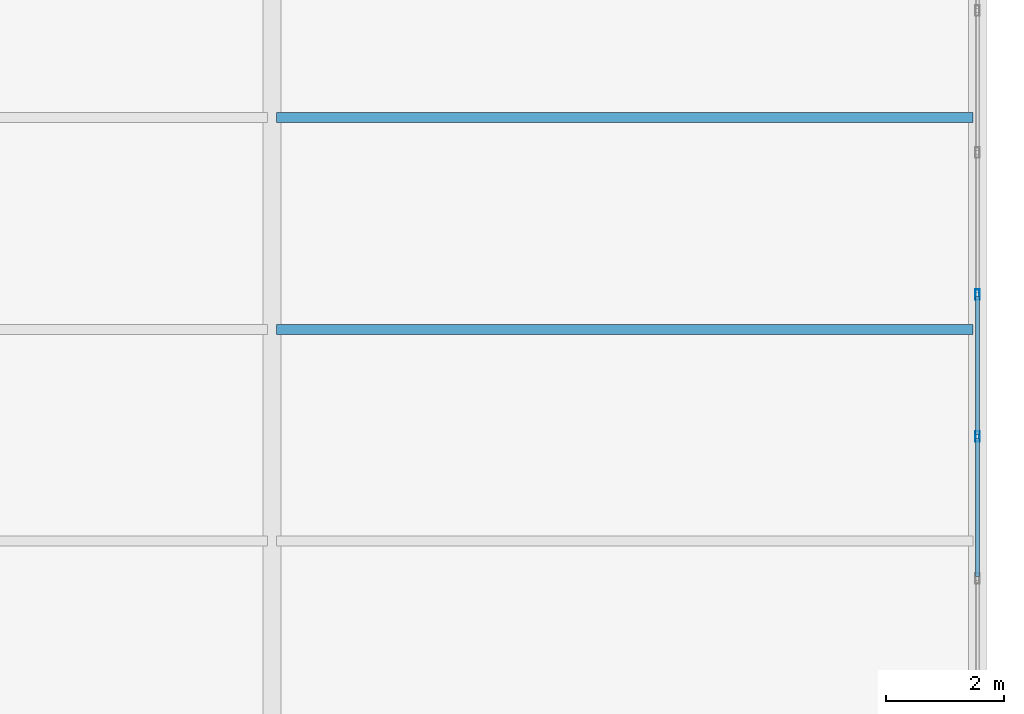
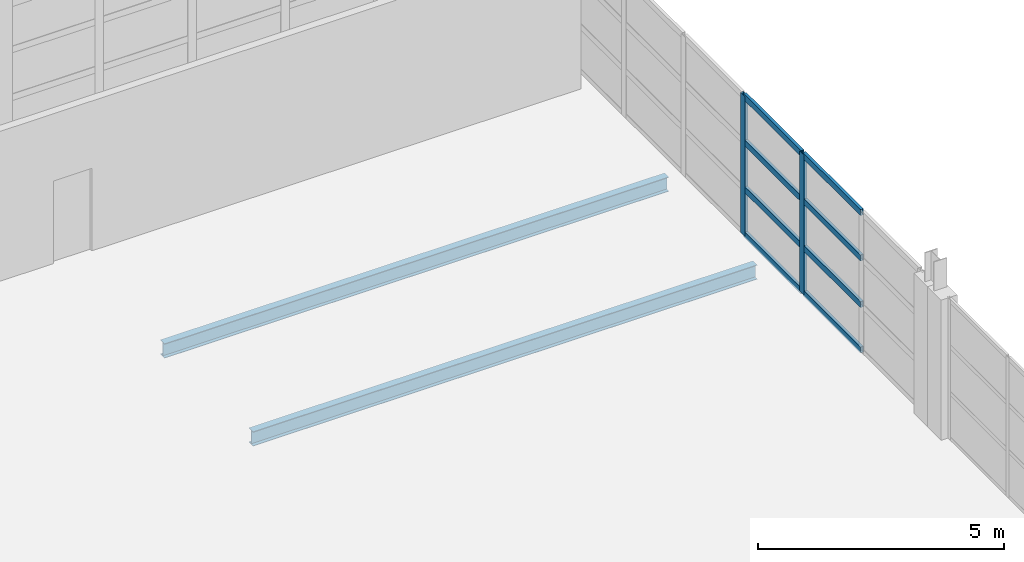
# One storey, part 91 of 158: 10 members, 2 beams, 1 element without a shape of its own.
"""IFC4 building model written with IfcOpenShell, lengths in metres."""

from ifc_helpers import new_model, si_unit, direction, frame, origin, origin_2d, place, context, subcontext, project, spatial, hollow_rectangle, i_section, extrude, material, layer, layer_set, material_profile, profile_set, type_object, element, aggregate, save


model = new_model("IFC4")

# Units and contexts
model_context = context("Model", 3, precision=1e-05, world=origin(), true_north=direction((0.0, 1.0)))
body_context = subcontext(model_context, "Body", "Model", "MODEL_VIEW")
ifc_project = project(units=[si_unit("LENGTHUNIT", "METRE"), si_unit("AREAUNIT", "SQUARE_METRE"), si_unit("VOLUMEUNIT", "CUBIC_METRE"), si_unit("PLANEANGLEUNIT", "RADIAN"), si_unit("MASSUNIT", "GRAM", prefix="KILO")], contexts=[model_context])

# Site, building, storey
site_placement = place(None, origin())
site = spatial("IfcSite", under=ifc_project, at=site_placement, CompositionType="ELEMENT")
building_placement = place(site_placement, origin())
building = spatial("IfcBuilding", under=site, at=building_placement, Name="Zilviju Railside Exhibition Hall", CompositionType="ELEMENT")
storey_placement = place(building_placement, frame((0.0, 0.0, 4.199951171875)))
storey = spatial("IfcBuildingStorey", under=building, at=storey_placement, Name="L02", CompositionType="ELEMENT", Elevation=4.199951171875)

# Beams
ifc_material_1 = material(Name="Steel S355J2", Category="steel")
ifc_material_profile_1 = material_profile(ifc_material_1, i_section(OverallWidth=0.169921875, OverallDepth=0.360107421875, WebThickness=0.008056640625, FlangeThickness=0.0126953125, at=origin_2d()), Name="IPE 360")
ifc_profile_set_1 = profile_set([ifc_material_profile_1], Name="Steel S355J2")
beam_type = type_object("IfcBeamType", Name="BM-IPE360", PredefinedType="JOIST", material=ifc_profile_set_1)
for number, where, z_axis, x_axis, name in (
    (1, (204.080078125, 43.199951171875, -0.510009765625), (1.0, 0.0, 0.0), (0.0, 1.0, 0.0), "Composite Floor Joist L02 Y=43.20 (204.0..216.0)"),
    (2, (204.080078125, 46.800048828125, -0.510009765625), (1.0, 0.0, 0.0), (0.0, 1.0, 0.0), "Composite Floor Joist L02 Y=46.80 (204.0..216.0)"),
):
    element("IfcBeam", number, at=place(storey_placement, frame(where, z_axis=z_axis, x_axis=x_axis)), inside=storey, type_object=beam_type, Name=name, PredefinedType="JOIST", context=body_context, shape_type="SweptSolid", body=[
        extrude(i_section(OverallWidth=0.169921875, OverallDepth=0.360107421875, WebThickness=0.008056640625, FlangeThickness=0.0126953125, at=origin_2d()), origin(), (0.0, 0.0, 1.0), 11.83984375),
    ])

# Curtain wall, members
ifc_material_2 = material(Name="Thermally broken aluminium-steel triple-glazed curtain wall", Category="steel")
ifc_layer = layer(ifc_material_2, 0.179931640625)
ifc_layer_set = layer_set([ifc_layer], Name="Thermally broken aluminium-steel triple-glazed curtain wall")
curtain_wall_type = type_object("IfcCurtainWallType", Name="CW-BAY-11", PredefinedType="USERDEFINED", material=ifc_layer_set)
curtain_wall_placement = place(storey_placement, origin())
curtain_wall = element("IfcCurtainWall", 3, at=curtain_wall_placement, inside=storey, type_object=curtain_wall_type, Name="South Hall East Glazed Gable L02 (36..54)", ObjectType="GLAZED CURTAIN WALL", PredefinedType="USERDEFINED")
ifc_material_3 = material(Name="Thermally broken anodized aluminium mullion", Category="aluminium")
ifc_material_profile_2 = material_profile(ifc_material_3, hollow_rectangle(XDim=0.070068359375, YDim=0.179931640625, WallThickness=0.0048828125, at=origin_2d()), Name="MULLION 180x70x5")
ifc_profile_set_2 = profile_set([ifc_material_profile_2], Name="Thermally broken anodized aluminium mullion")
member_type_1 = type_object("IfcMemberType", Name="CWM-70x180", PredefinedType="MULLION", material=ifc_profile_set_2)
member_1_placement = place(storey_placement, frame((216.0, 43.79296875, 0.0), z_axis=(0.0, 0.0, 1.0), x_axis=(1.0, 0.0, 0.0)))
member_1 = element("IfcMember", 4, at=member_1_placement, type_object=member_type_1, Name="CW-11 mullion 5", PredefinedType="MULLION", context=body_context, shape_type="SweptSolid", body=[
    extrude(hollow_rectangle(XDim=0.070068359375, YDim=0.179931640625, WallThickness=0.0048828125, at=origin_2d()), origin(), (0.0, 0.0, 1.0), 3.47998046875),
])
member_2_placement = place(storey_placement, frame((216.0, 41.378662109375, 0.0), z_axis=(0.0, 0.0, 1.0), x_axis=(1.0, 0.0, 0.0)))
member_2 = element("IfcMember", 5, at=member_2_placement, type_object=member_type_1, Name="CW-11 mullion 6", PredefinedType="MULLION", context=body_context, shape_type="SweptSolid", body=[
    extrude(hollow_rectangle(XDim=0.070068359375, YDim=0.179931640625, WallThickness=0.0048828125, at=origin_2d()), origin(), (0.0, 0.0, 1.0), 3.47998046875),
])
ifc_material_4 = material(Name="Thermally broken anodized aluminium transom", Category="aluminium")
ifc_material_profile_3 = material_profile(ifc_material_4, hollow_rectangle(XDim=0.070068359375, YDim=0.14990234375, WallThickness=0.0048828125, at=origin_2d()), Name="TRANSOM 150x70x5")
ifc_profile_set_3 = profile_set([ifc_material_profile_3], Name="Thermally broken anodized aluminium transom")
member_type_2 = type_object("IfcMemberType", Name="CWT-70x150", PredefinedType="USERDEFINED", material=ifc_profile_set_3)
member_3_placement = place(storey_placement, frame((216.0, 43.7578125, 0.03515625), z_axis=(0.0, -1.0, 0.0), x_axis=(1.0, 0.0, 0.0)))
member_3 = element("IfcMember", 6, at=member_3_placement, type_object=member_type_2, Name="CW-11 transom 5.1", ObjectType="TRANSOM", PredefinedType="USERDEFINED", context=body_context, shape_type="SweptSolid", body=[
    extrude(hollow_rectangle(XDim=0.070068359375, YDim=0.14990234375, WallThickness=0.0048828125, at=origin_2d()), origin(), (0.0, 0.0, 1.0), 2.34423828125),
])
member_4_placement = place(storey_placement, frame((216.0, 43.7578125, 1.16015625), z_axis=(0.0, -1.0, 0.0), x_axis=(1.0, 0.0, 0.0)))
member_4 = element("IfcMember", 7, at=member_4_placement, type_object=member_type_2, Name="CW-11 transom 5.2", ObjectType="TRANSOM", PredefinedType="USERDEFINED", context=body_context, shape_type="SweptSolid", body=[
    extrude(hollow_rectangle(XDim=0.070068359375, YDim=0.14990234375, WallThickness=0.0048828125, at=origin_2d()), origin(), (0.0, 0.0, 1.0), 2.34423828125),
])
member_5_placement = place(storey_placement, frame((216.0, 43.7578125, 2.320068359375), z_axis=(0.0, -1.0, 0.0), x_axis=(1.0, 0.0, 0.0)))
member_5 = element("IfcMember", 8, at=member_5_placement, type_object=member_type_2, Name="CW-11 transom 5.3", ObjectType="TRANSOM", PredefinedType="USERDEFINED", context=body_context, shape_type="SweptSolid", body=[
    extrude(hollow_rectangle(XDim=0.070068359375, YDim=0.14990234375, WallThickness=0.0048828125, at=origin_2d()), origin(), (0.0, 0.0, 1.0), 2.34423828125),
])
member_6_placement = place(storey_placement, frame((216.0, 43.7578125, 3.445068359375), z_axis=(0.0, -1.0, 0.0), x_axis=(1.0, 0.0, 0.0)))
member_6 = element("IfcMember", 9, at=member_6_placement, type_object=member_type_2, Name="CW-11 transom 5.4", ObjectType="TRANSOM", PredefinedType="USERDEFINED", context=body_context, shape_type="SweptSolid", body=[
    extrude(hollow_rectangle(XDim=0.070068359375, YDim=0.14990234375, WallThickness=0.0048828125, at=origin_2d()), origin(), (0.0, 0.0, 1.0), 2.34423828125),
])
member_7_placement = place(storey_placement, frame((216.0, 41.343505859375, 0.03515625), z_axis=(0.0, -1.0, 0.0), x_axis=(1.0, 0.0, 0.0)))
member_7 = element("IfcMember", 10, at=member_7_placement, type_object=member_type_2, Name="CW-11 transom 6.1", ObjectType="TRANSOM", PredefinedType="USERDEFINED", context=body_context, shape_type="SweptSolid", body=[
    extrude(hollow_rectangle(XDim=0.070068359375, YDim=0.14990234375, WallThickness=0.0048828125, at=origin_2d()), origin(), (0.0, 0.0, 1.0), 2.34423828125),
])
member_8_placement = place(storey_placement, frame((216.0, 41.343505859375, 1.16015625), z_axis=(0.0, -1.0, 0.0), x_axis=(1.0, 0.0, 0.0)))
member_8 = element("IfcMember", 11, at=member_8_placement, type_object=member_type_2, Name="CW-11 transom 6.2", ObjectType="TRANSOM", PredefinedType="USERDEFINED", context=body_context, shape_type="SweptSolid", body=[
    extrude(hollow_rectangle(XDim=0.070068359375, YDim=0.14990234375, WallThickness=0.0048828125, at=origin_2d()), origin(), (0.0, 0.0, 1.0), 2.34423828125),
])
member_9_placement = place(storey_placement, frame((216.0, 41.343505859375, 2.320068359375), z_axis=(0.0, -1.0, 0.0), x_axis=(1.0, 0.0, 0.0)))
member_9 = element("IfcMember", 12, at=member_9_placement, type_object=member_type_2, Name="CW-11 transom 6.3", ObjectType="TRANSOM", PredefinedType="USERDEFINED", context=body_context, shape_type="SweptSolid", body=[
    extrude(hollow_rectangle(XDim=0.070068359375, YDim=0.14990234375, WallThickness=0.0048828125, at=origin_2d()), origin(), (0.0, 0.0, 1.0), 2.34423828125),
])
member_10_placement = place(storey_placement, frame((216.0, 41.343505859375, 3.445068359375), z_axis=(0.0, -1.0, 0.0), x_axis=(1.0, 0.0, 0.0)))
member_10 = element("IfcMember", 13, at=member_10_placement, type_object=member_type_2, Name="CW-11 transom 6.4", ObjectType="TRANSOM", PredefinedType="USERDEFINED", context=body_context, shape_type="SweptSolid", body=[
    extrude(hollow_rectangle(XDim=0.070068359375, YDim=0.14990234375, WallThickness=0.0048828125, at=origin_2d()), origin(), (0.0, 0.0, 1.0), 2.34423828125),
])
aggregate(curtain_wall, [member_1, member_2, member_3, member_4, member_5, member_6, member_7, member_8, member_9, member_10])

save(model, "model.ifc")
